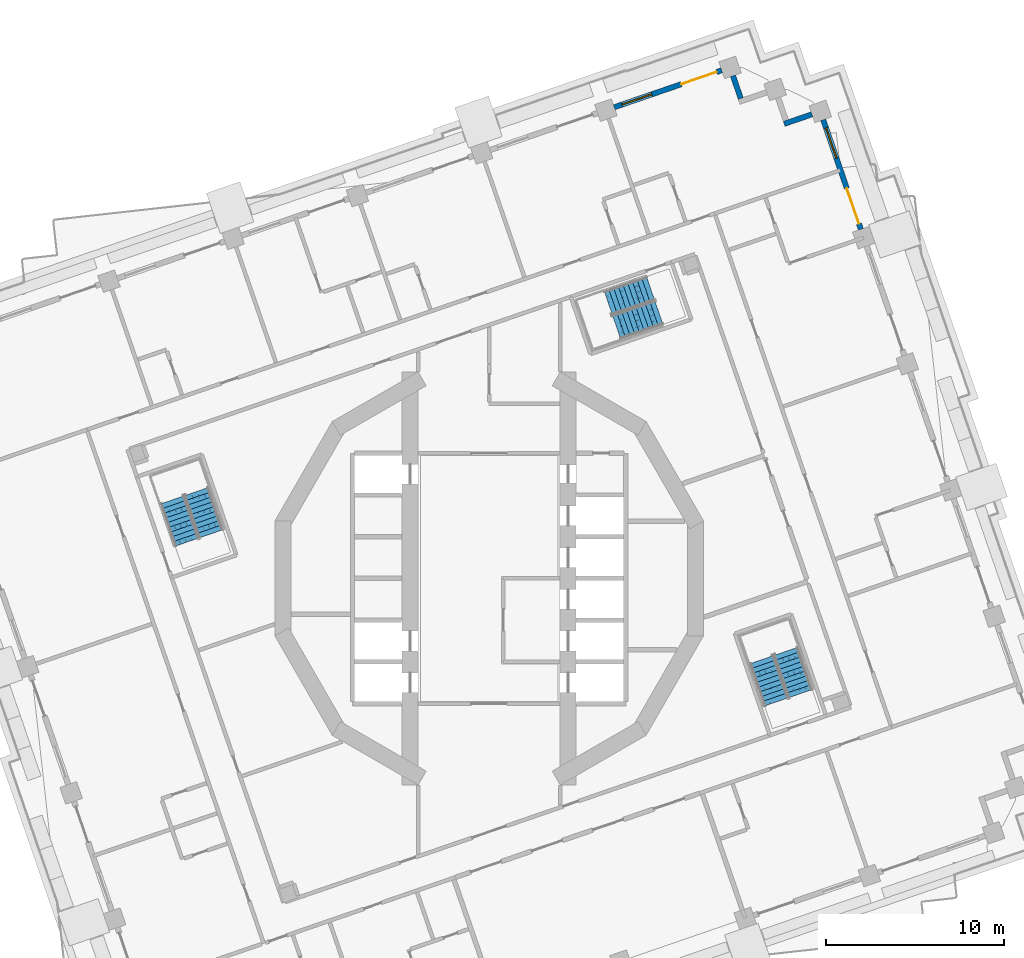
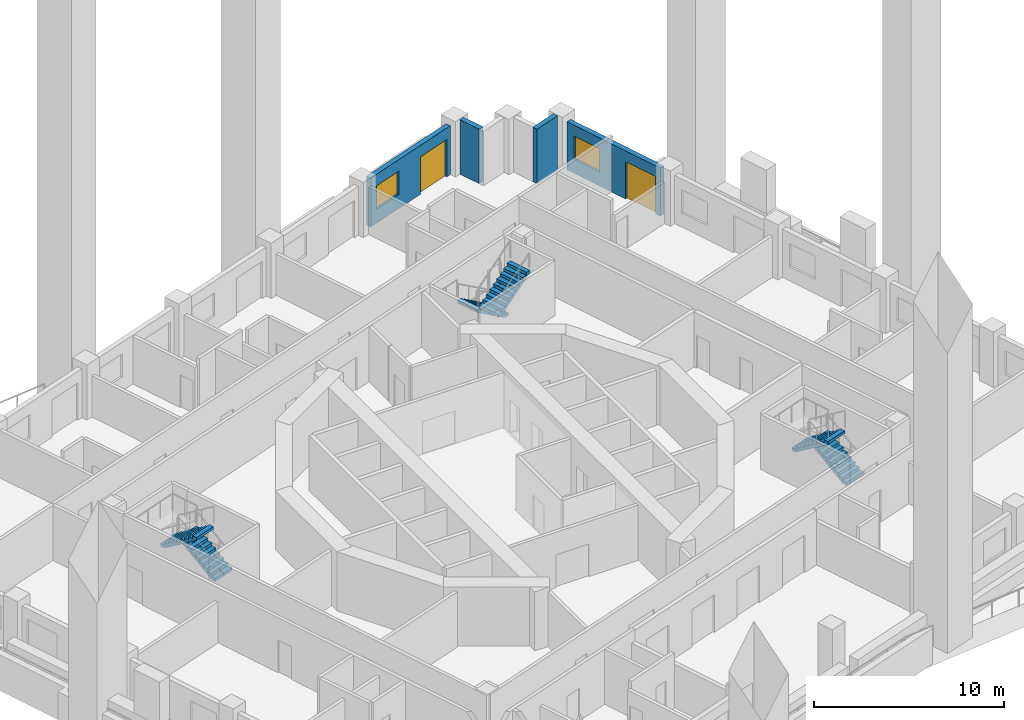
# One storey, part 9 of 18: 6 stair flights, 4 walls, 2 doors, 2 windows, 4 openings, 3 elements without a shape of their own.
"""IFC4 building model written with IfcOpenShell, lengths in metres."""

import ifcopenshell
import ifcopenshell.guid

model = None  # the IFC model being written
_history = None  # IfcOwnerHistory: only IFC2X3 demands one
_inside = {}  # id of a spatial element -> (the spatial element, [elements in it])
_under = {}  # id of a project, library or spatial element -> (it, [spatial elements below it])
_declared = {}  # id of a project -> (the project, [libraries it declares])
_typed = {}  # id of a type object -> (the type object, [elements of that type])
_made_of = {}  # id of a material, layer set ... -> (it, [elements and type objects made of it])


def new_model(schema):
    """Start an empty IFC model of exactly this schema.

    Asked for "IFC4X3", IfcOpenShell would pick the latest addendum, in which some entities
    have other attributes; the version numbers below select the first issue.
    IFC2X3 requires an IfcOwnerHistory on every rooted entity: one is made here for all.
    """
    global model, _history
    if schema == "IFC4X3":
        model = ifcopenshell.file(schema_version=(4, 3, 0, 0))
    else:
        model = ifcopenshell.file(schema=schema)
    _inside.clear()
    _under.clear()
    _declared.clear()
    _typed.clear()
    _made_of.clear()
    _history = None
    if model.schema == "IFC2X3":
        org = make("IfcOrganization", Name="unknown")
        user = make(
            "IfcPersonAndOrganization",
            ThePerson=make("IfcPerson", FamilyName="unknown"),
            TheOrganization=org,
        )
        app = make(
            "IfcApplication",
            ApplicationDeveloper=org,
            Version="unknown",
            ApplicationFullName="unknown",
            ApplicationIdentifier="unknown",
        )
        _history = make(
            "IfcOwnerHistory",
            OwningUser=user,
            OwningApplication=app,
            ChangeAction="ADDED",
            CreationDate=0,
        )
    return model


def make(cls, **values):
    """One entity of the class cls with the attributes given. An attribute that is None is left unset."""
    return model.create_entity(
        cls, **{name: value for name, value in values.items() if value is not None}
    )


def rooted(cls, **values):
    """An entity with a GlobalId (a new one), such as an element, a storey or a relation."""
    return make(cls, GlobalId=ifcopenshell.guid.new(), OwnerHistory=_history, **values)


def si_unit(unit_type, name, prefix=None):
    """IfcSIUnit, for example si_unit("LENGTHUNIT", "METRE", prefix="MILLI")."""
    return make("IfcSIUnit", UnitType=unit_type, Prefix=prefix, Name=name)


def assignment(units):
    """IfcUnitAssignment: the units of a project."""
    return None if units is None else make("IfcUnitAssignment", Units=units)


def point(xyz):
    """IfcCartesianPoint."""
    return None if xyz is None else make("IfcCartesianPoint", Coordinates=xyz)


def direction(xyz):
    """IfcDirection."""
    return None if xyz is None else make("IfcDirection", DirectionRatios=xyz)


def frame(location, z_axis=None, x_axis=None):
    """IfcAxis2Placement3D, a coordinate frame: its origin and axes. An axis left out is left unset."""
    return make(
        "IfcAxis2Placement3D",
        Location=point(location),
        Axis=direction(z_axis),
        RefDirection=direction(x_axis),
    )


def frame_2d(location, x_axis=None):
    """IfcAxis2Placement2D, a coordinate frame in the plane: its origin and x axis."""
    return make(
        "IfcAxis2Placement2D", Location=point(location), RefDirection=direction(x_axis)
    )


def origin():
    """The frame at (0, 0, 0) with its axes left unset."""
    return frame((0.0, 0.0, 0.0))


def place(relative_to, where):
    """IfcLocalPlacement: puts the frame where relative to a parent placement (None: the world)."""
    return make(
        "IfcLocalPlacement", PlacementRelTo=relative_to, RelativePlacement=where
    )


def context(
    kind, dimensions, precision=None, world=None, true_north=None, identifier=None
):
    """IfcGeometricRepresentationContext, for example the 3D "Model" context."""
    return make(
        "IfcGeometricRepresentationContext",
        ContextIdentifier=identifier,
        ContextType=kind,
        CoordinateSpaceDimension=dimensions,
        Precision=precision,
        WorldCoordinateSystem=world,
        TrueNorth=true_north,
    )


def subcontext(parent, identifier, kind, view, scale=None):
    """IfcGeometricRepresentationSubContext, for example "Body" below "Model"."""
    return make(
        "IfcGeometricRepresentationSubContext",
        ContextIdentifier=identifier,
        ContextType=kind,
        ParentContext=parent,
        TargetScale=scale,
        TargetView=view,
    )


def project(units=None, contexts=None):
    """IfcProject with its units and contexts."""
    return rooted(
        "IfcProject",
        Name="project",
        RepresentationContexts=contexts,
        UnitsInContext=assignment(units),
    )


def spatial(cls, under=None, at=None, **own):
    """A site, building, storey or space (cls), placed at a placement, below another one or the project."""
    s = rooted(cls, ObjectPlacement=at, **own)
    if under is not None:
        _under.setdefault(under.id(), (under, []))[1].append(s)
    return s


def polyline(points):
    """IfcPolyline through the points."""
    return make("IfcPolyline", Points=[point(p) for p in points])


def profile(cls, at=None, kind="AREA", **sizes):
    """A parametric profile (cls). Its sizes go by their IFC names, for example OverallWidth=200.0."""
    return make(cls, ProfileType=kind, Position=at, **sizes)


def rectangle(**sizes):
    """IfcRectangleProfileDef."""
    return profile("IfcRectangleProfileDef", **sizes)


def outline(outer, holes=None, kind="AREA"):
    """IfcArbitraryClosedProfileDef: a profile drawn as a closed curve; with holes, ...WithVoids."""
    if holes is None:
        return make("IfcArbitraryClosedProfileDef", ProfileType=kind, OuterCurve=outer)
    return make(
        "IfcArbitraryProfileDefWithVoids",
        ProfileType=kind,
        OuterCurve=outer,
        InnerCurves=holes,
    )


def extrude(swept, where, along, depth):
    """IfcExtrudedAreaSolid: the profile swept, set in the frame where, extruded along a direction by depth."""
    return make(
        "IfcExtrudedAreaSolid",
        SweptArea=swept,
        Position=where,
        ExtrudedDirection=direction(along),
        Depth=depth,
    )


def shape(context_of_items, identifier, shape_type, items):
    """IfcShapeRepresentation: the items that make up one representation, for example the "Body"."""
    return make(
        "IfcShapeRepresentation",
        ContextOfItems=context_of_items,
        RepresentationIdentifier=identifier,
        RepresentationType=shape_type,
        Items=items,
    )


def material(Name=None, Category=None):
    """IfcMaterial."""
    return make("IfcMaterial", Name=Name, Category=Category)


def layer(
    of_material, thickness, ventilated=None, Name=None, Category=None, Priority=None
):
    """IfcMaterialLayer: one layer of a wall or slab, of a material (None: an air gap)."""
    return make(
        "IfcMaterialLayer",
        Material=of_material,
        LayerThickness=thickness,
        IsVentilated=ventilated,
        Name=Name,
        Category=Category,
        Priority=Priority,
    )


def layer_set(layers, Name=None):
    """IfcMaterialLayerSet."""
    return make("IfcMaterialLayerSet", MaterialLayers=layers, LayerSetName=Name)


def made_of(thing, what):
    """Note that an element or type object is made of a material, layer set ...; save() writes the relation."""
    if what is not None:
        _made_of.setdefault(what.id(), (what, []))[1].append(thing)
    return thing


def type_object(cls, material=None, **own):
    """A type object (cls), such as IfcWallType, which elements share."""
    return made_of(rooted(cls, **own), material)


def element(
    cls,
    number,
    at=None,
    inside=None,
    cuts=None,
    type_object=None,
    material=None,
    context=None,
    identifier="Body",
    shape_type=None,
    held_by="IfcProductDefinitionShape",
    body=None,
    shapes=None,
    **own,
):
    """One element of the class cls, such as IfcWall. Its Tag is "e" and its number.

    at: its placement. inside: the storey or other place that contains it. cuts: it is an
    opening in that element (IfcRelVoidsElement). A single representation is given by context,
    identifier, shape_type and body (its items); several are given by shapes. held_by: the class
    of the entity that holds the representations. save() writes the other relations.
    """
    e = rooted(cls, Tag="e%d" % number, ObjectPlacement=at, **own)
    if body is not None:
        shapes = [shape(context, identifier, shape_type, body)]
    if shapes is not None:
        e.Representation = make(held_by, Representations=shapes)
    if inside is not None:
        _inside.setdefault(inside.id(), (inside, []))[1].append(e)
    if cuts is not None:
        rooted(
            "IfcRelVoidsElement", RelatingBuildingElement=cuts, RelatedOpeningElement=e
        )
    if type_object is not None:
        _typed.setdefault(type_object.id(), (type_object, []))[1].append(e)
    return made_of(e, material)


def fill(opening, filler):
    """IfcRelFillsElement: the door or window that sits in an opening."""
    return rooted(
        "IfcRelFillsElement",
        RelatingOpeningElement=opening,
        RelatedBuildingElement=filler,
    )


def aggregate(whole, parts):
    """IfcRelAggregates: a whole, such as a stair, and the parts it consists of."""
    return rooted("IfcRelAggregates", RelatingObject=whole, RelatedObjects=parts)


def save(model, path):
    """Write the relations noted so far, then the file.

    IfcRelAggregates (storeys below a building ...), IfcRelContainedInSpatialStructure (elements
    in a storey), IfcRelDefinesByType, IfcRelAssociatesMaterial and IfcRelDeclares: one each for
    every whole, place, type object, material and project.
    """
    for whole, parts in _under.values():
        aggregate(whole, parts)
    for where, things in _inside.values():
        rooted(
            "IfcRelContainedInSpatialStructure",
            RelatedElements=things,
            RelatingStructure=where,
        )
    for kind, things in _typed.values():
        rooted("IfcRelDefinesByType", RelatedObjects=things, RelatingType=kind)
    for what, things in _made_of.values():
        rooted("IfcRelAssociatesMaterial", RelatedObjects=things, RelatingMaterial=what)
    for by, libraries in _declared.values():
        rooted("IfcRelDeclares", RelatingContext=by, RelatedDefinitions=libraries)
    model.write(path)


model = new_model("IFC4")

# Units and contexts
model_context = context("Model", 3, precision=1e-05, world=origin(), true_north=direction((0.0, 1.0)))
body_context = subcontext(model_context, "Body", "Model", "MODEL_VIEW")
ifc_project = project(units=[si_unit("LENGTHUNIT", "METRE"), si_unit("AREAUNIT", "SQUARE_METRE"), si_unit("VOLUMEUNIT", "CUBIC_METRE"), si_unit("PLANEANGLEUNIT", "RADIAN"), si_unit("MASSUNIT", "GRAM", prefix="KILO")], contexts=[model_context])

# Site, building, storey
site_placement = place(None, origin())
site = spatial("IfcSite", under=ifc_project, at=site_placement, CompositionType="ELEMENT")
building_placement = place(site_placement, origin())
building = spatial("IfcBuilding", under=site, at=building_placement, Name="Cantera Rosa Tower", CompositionType="ELEMENT")
storey_placement = place(building_placement, frame((0.0, 0.0, 100.300048828125)))
storey = spatial("IfcBuildingStorey", under=building, at=storey_placement, Name="L19", CompositionType="ELEMENT", Elevation=100.300048828125)

# Walls
ifc_material_1 = material(Name="Hollow clay masonry with cantera stone cladding", Category="masonry")
ifc_layer_1 = layer(ifc_material_1, 0.300048828125)
ifc_layer_set_1 = layer_set([ifc_layer_1], Name="EW-LOGGIA 300")
wall_type_1 = type_object("IfcWallType", Name="EW-LOGGIA 300", PredefinedType="SOLIDWALL", material=ifc_layer_set_1)
wall_1_placement = place(storey_placement, frame((18.17919921875, 26.142822265625, 0.0), z_axis=(0.0, 0.0, 1.0), x_axis=(-0.945530119553, -0.32553462645, 0.0)))
element("IfcWall", 1, at=wall_1_placement, inside=storey, type_object=wall_type_1, Name="EN-L19-W06a", PredefinedType="SOLIDWALL", context=body_context, shape_type="SweptSolid", body=[
    extrude(rectangle(XDim=1.64990234375, YDim=0.300048828125, at=frame_2d((0.824951171875, 0.0))), origin(), (0.0, 0.0, 1.0), 3.5),
])
wall_2_placement = place(storey_placement, frame((14.169921875, 27.0361328125, 0.0), z_axis=(0.0, 0.0, 1.0), x_axis=(-0.325650742363, 0.945490134268, 0.0)))
element("IfcWall", 2, at=wall_2_placement, inside=storey, type_object=wall_type_1, Name="EN-L19-W07b", PredefinedType="SOLIDWALL", context=body_context, shape_type="SweptSolid", body=[
    extrude(rectangle(XDim=1.35009765625, YDim=0.300048828125, at=frame_2d((0.675048828125, 0.0))), origin(), (0.0, 0.0, 1.0), 3.5),
])

# Wall, openings, window, door
ifc_material_2 = material(Name="Hollow clay masonry with cantera stone cladding", Category="masonry")
ifc_layer_2 = layer(ifc_material_2, 0.300048828125)
ifc_layer_set_2 = layer_set([ifc_layer_2], Name="EW-LOGGIA 300 H3090")
wall_type_2 = type_object("IfcWallType", Name="EW-LOGGIA 300 H3090", PredefinedType="SOLIDWALL", material=ifc_layer_set_2)
wall_3_placement = place(storey_placement, frame((20.9375, 19.668212890625, 0.0), z_axis=(0.0, 0.0, 1.0), x_axis=(-0.325592517631, 0.945510186335, 0.0)))
wall_3 = element("IfcWall", 3, at=wall_3_placement, inside=storey, type_object=wall_type_2, Name="EN-L19-W05", PredefinedType="SOLIDWALL", context=body_context, shape_type="SweptSolid", body=[
    extrude(rectangle(XDim=6.519775390625, YDim=0.300048828125, at=frame_2d((3.259765625, 0.0))), origin(), (0.0, 0.0, 1.0), 3.08984375),
])
opening_1_placement = place(wall_3_placement, frame((0.330078125, 0.0, 0.0)))
opening_1 = element("IfcOpeningElement", 4, at=opening_1_placement, cuts=wall_3, Name="Opening L19-TD09", PredefinedType="OPENING", context=body_context, shape_type="SweptSolid", body=[
    extrude(rectangle(XDim=2.10009765625, YDim=2.39990234375, at=frame_2d((1.050048828125, 1.199951171875))), frame((0.0, 0.159912109375, 0.0), z_axis=(0.0, -1.0, 0.0), x_axis=(1.0, 0.0, 0.0)), (0.0, 0.0, 1.0), 0.320068359375),
])
opening_2_placement = place(wall_3_placement, frame((4.239990234375, 0.0, 0.89990234375)))
opening_2 = element("IfcOpeningElement", 5, at=opening_2_placement, cuts=wall_3, Name="Opening L19-W10", PredefinedType="OPENING", context=body_context, shape_type="SweptSolid", body=[
    extrude(rectangle(XDim=1.800048828125, YDim=1.5, at=frame_2d((0.89990234375, 0.75))), frame((0.0, 0.159912109375, 0.0), z_axis=(0.0, -1.0, 0.0), x_axis=(1.0, 0.0, 0.0)), (0.0, 0.0, 1.0), 0.320068359375),
])
ifc_material_3 = material(Name="Aluminium frame with clear glass", Category="aluminium")
window_type = type_object("IfcWindowType", Name="Hotel room window 1800x1500", PartitioningType="DOUBLE_PANEL_VERTICAL", PredefinedType="WINDOW", material=ifc_material_3)
window_1_placement = place(opening_2_placement, origin())
window_1 = element("IfcWindow", 6, at=window_1_placement, inside=storey, type_object=window_type, Name="WINDOW L19-W10", OverallHeight=1.5, OverallWidth=1.800048828125, PartitioningType="SINGLE_PANEL", PredefinedType="WINDOW", context=body_context, shape_type="SweptSolid", body=[
    extrude(rectangle(XDim=1.800048828125, YDim=1.5, at=frame_2d((0.89990234375, 0.75))), frame((0.0, 0.030029296875, 0.0), z_axis=(0.0, -1.0, 0.0), x_axis=(1.0, 0.0, 0.0)), (0.0, 0.0, 1.0), 0.06005859375),
])
fill(opening_2, window_1)
ifc_material_4 = material(Name="Aluminium frame with clear glass", Category="aluminium")
door_type = type_object("IfcDoorType", Name="TD-H 2100x2400", OperationType="NOTDEFINED", PredefinedType="DOOR", material=ifc_material_4)
door_1_placement = place(opening_1_placement, origin())
door_1 = element("IfcDoor", 7, at=door_1_placement, inside=storey, type_object=door_type, Name="LOGGIA DOOR L19-TD09", OperationType="SLIDING_TO_LEFT", OverallHeight=2.39990234375, OverallWidth=2.10009765625, PredefinedType="DOOR", context=body_context, shape_type="SweptSolid", body=[
    extrude(rectangle(XDim=2.10009765625, YDim=2.39990234375, at=frame_2d((1.050048828125, 1.199951171875))), frame((0.0, 0.02490234375, 0.0), z_axis=(0.0, -1.0, 0.0), x_axis=(1.0, 0.0, 0.0)), (0.0, 0.0, 1.0), 0.050048828125),
])
fill(opening_1, door_1)

ifc_material_5 = material(Name="Hollow clay masonry with cantera stone cladding", Category="masonry")
ifc_layer_3 = layer(ifc_material_5, 0.300048828125)
ifc_layer_set_3 = layer_set([ifc_layer_3], Name="EW-LOGGIA 300 H3140")
wall_type_3 = type_object("IfcWallType", Name="EW-LOGGIA 300 H3140", PredefinedType="SOLIDWALL", material=ifc_layer_set_3)
wall_4_placement = place(storey_placement, frame((13.0947265625, 28.62255859375, 0.0), z_axis=(0.0, 0.0, 1.0), x_axis=(-0.945524496524, -0.325550958337, 0.0)))
wall_4 = element("IfcWall", 8, at=wall_4_placement, inside=storey, type_object=wall_type_3, Name="EN-L19-W08", PredefinedType="SOLIDWALL", context=body_context, shape_type="SweptSolid", body=[
    extrude(rectangle(XDim=6.39990234375, YDim=0.300048828125, at=frame_2d((3.199951171875, 0.0))), origin(), (0.0, 0.0, 1.0), 3.139892578125),
])
opening_3_placement = place(wall_4_placement, frame((0.300048828125, 0.0, 0.0)))
opening_3 = element("IfcOpeningElement", 9, at=opening_3_placement, cuts=wall_4, Name="Opening L19-TD11", PredefinedType="OPENING", context=body_context, shape_type="SweptSolid", body=[
    extrude(rectangle(XDim=2.10009765625, YDim=2.39990234375, at=frame_2d((1.050048828125, 1.199951171875))), frame((0.0, 0.159912109375, 0.0), z_axis=(0.0, -1.0, 0.0), x_axis=(1.0, 0.0, 0.0)), (0.0, 0.0, 1.0), 0.320068359375),
])
opening_4_placement = place(wall_4_placement, frame((4.14990234375, 0.0, 0.89990234375)))
opening_4 = element("IfcOpeningElement", 10, at=opening_4_placement, cuts=wall_4, Name="Opening L19-W12", PredefinedType="OPENING", context=body_context, shape_type="SweptSolid", body=[
    extrude(rectangle(XDim=1.800048828125, YDim=1.5, at=frame_2d((0.89990234375, 0.75))), frame((0.0, 0.159912109375, 0.0), z_axis=(0.0, -1.0, 0.0), x_axis=(1.0, 0.0, 0.0)), (0.0, 0.0, 1.0), 0.320068359375),
])
window_2_placement = place(opening_4_placement, origin())
window_2 = element("IfcWindow", 11, at=window_2_placement, inside=storey, type_object=window_type, Name="WINDOW L19-W12", OverallHeight=1.5, OverallWidth=1.800048828125, PartitioningType="SINGLE_PANEL", PredefinedType="WINDOW", context=body_context, shape_type="SweptSolid", body=[
    extrude(rectangle(XDim=1.800048828125, YDim=1.5, at=frame_2d((0.89990234375, 0.75))), frame((0.0, 0.030029296875, 0.0), z_axis=(0.0, -1.0, 0.0), x_axis=(1.0, 0.0, 0.0)), (0.0, 0.0, 1.0), 0.06005859375),
])
fill(opening_4, window_2)
door_2_placement = place(opening_3_placement, origin())
door_2 = element("IfcDoor", 12, at=door_2_placement, inside=storey, type_object=door_type, Name="LOGGIA DOOR L19-TD11", OperationType="SLIDING_TO_LEFT", OverallHeight=2.39990234375, OverallWidth=2.10009765625, PredefinedType="DOOR", context=body_context, shape_type="SweptSolid", body=[
    extrude(rectangle(XDim=2.10009765625, YDim=2.39990234375, at=frame_2d((1.050048828125, 1.199951171875))), frame((0.0, 0.02490234375, 0.0), z_axis=(0.0, -1.0, 0.0), x_axis=(1.0, 0.0, 0.0)), (0.0, 0.0, 1.0), 0.050048828125),
])
fill(opening_3, door_2)

# Stair, stair flights
ifc_material_6 = material(Name="Concrete C35/45", Category="concrete")
stair_type = type_object("IfcStairType", Name="EXIT STAIR 1350 DOGLEG", PredefinedType="HALF_TURN_STAIR", material=ifc_material_6)
stair_1_placement = place(storey_placement, origin())
stair_1 = element("IfcStair", 13, at=stair_1_placement, inside=storey, type_object=stair_type, Name="L19 ST-21", PredefinedType="HALF_TURN_STAIR")
ifc_material_7 = material(Name="Concrete C35/45", Category="concrete")
stair_flight_type = type_object("IfcStairFlightType", Name="STAIR FLIGHT 1350 R20x190", PredefinedType="STRAIGHT", material=ifc_material_7)
stair_flight_1_placement = place(storey_placement, frame((9.07958984375, 16.364990234375, 0.0), z_axis=(0.0, 0.0, 1.0), x_axis=(-0.945518575599, -0.325568154457, 0.0)))
stair_flight_1 = element("IfcStairFlight", 14, at=stair_flight_1_placement, type_object=stair_flight_type, Name="ST-21 flight 1", NumberOfRisers=10, NumberOfTreads=9, PredefinedType="STRAIGHT", RiserHeight=0.19, TreadLength=0.28, context=body_context, shape_type="SweptSolid", body=[
    extrude(outline(polyline([(0.0, 0.0), (0.0, 0.18994140625), (0.280029296875, 0.18994140625), (0.280029296875, 0.3798828125), (0.56005859375, 0.3798828125), (0.56005859375, 0.570068359375), (0.840087890625, 0.570068359375), (0.840087890625, 0.760009765625), (1.1201171875, 0.760009765625), (1.1201171875, 0.949951171875), (1.39990234375, 0.949951171875), (1.39990234375, 1.139892578125), (1.679931640625, 1.139892578125), (1.679931640625, 1.330078125), (1.9599609375, 1.330078125), (1.9599609375, 1.52001953125), (2.239990234375, 1.52001953125), (2.239990234375, 1.7099609375), (2.52001953125, 1.7099609375), (2.52001953125, 1.89990234375), (2.52001953125, 1.52880859375), (0.266845703125, 0.0), (0.0, 0.0)])), frame((0.0, 0.675048828125, 0.0), z_axis=(0.0, -1.0, 0.0), x_axis=(1.0, 0.0, 0.0)), (0.0, 0.0, 1.0), 0.3359375),
    extrude(outline(polyline([(0.0, 0.0), (0.0, 0.18994140625), (0.280029296875, 0.18994140625), (0.280029296875, 0.3798828125), (0.56005859375, 0.3798828125), (0.56005859375, 0.570068359375), (0.840087890625, 0.570068359375), (0.840087890625, 0.760009765625), (1.1201171875, 0.760009765625), (1.1201171875, 0.949951171875), (1.39990234375, 0.949951171875), (1.39990234375, 1.139892578125), (1.679931640625, 1.139892578125), (1.679931640625, 1.330078125), (1.9599609375, 1.330078125), (1.9599609375, 1.52001953125), (2.239990234375, 1.52001953125), (2.239990234375, 1.7099609375), (2.52001953125, 1.7099609375), (2.52001953125, 1.89990234375), (2.52001953125, 1.52880859375), (0.266845703125, 0.0), (0.0, 0.0)])), frame((0.0, 0.337158203125, 0.0), z_axis=(0.0, -1.0, 0.0), x_axis=(1.0, 0.0, 0.0)), (0.0, 0.0, 1.0), 0.3359375),
    extrude(outline(polyline([(0.0, 0.0), (0.0, 0.18994140625), (0.280029296875, 0.18994140625), (0.280029296875, 0.3798828125), (0.56005859375, 0.3798828125), (0.56005859375, 0.570068359375), (0.840087890625, 0.570068359375), (0.840087890625, 0.760009765625), (1.1201171875, 0.760009765625), (1.1201171875, 0.949951171875), (1.39990234375, 0.949951171875), (1.39990234375, 1.139892578125), (1.679931640625, 1.139892578125), (1.679931640625, 1.330078125), (1.9599609375, 1.330078125), (1.9599609375, 1.52001953125), (2.239990234375, 1.52001953125), (2.239990234375, 1.7099609375), (2.52001953125, 1.7099609375), (2.52001953125, 1.89990234375), (2.52001953125, 1.52880859375), (0.266845703125, 0.0), (0.0, 0.0)])), frame((0.0, -0.000732421875, 0.0), z_axis=(0.0, -1.0, 0.0), x_axis=(1.0, 0.0, 0.0)), (0.0, 0.0, 1.0), 0.3359375),
    extrude(outline(polyline([(0.0, 0.0), (0.0, 0.18994140625), (0.280029296875, 0.18994140625), (0.280029296875, 0.3798828125), (0.56005859375, 0.3798828125), (0.56005859375, 0.570068359375), (0.840087890625, 0.570068359375), (0.840087890625, 0.760009765625), (1.1201171875, 0.760009765625), (1.1201171875, 0.949951171875), (1.39990234375, 0.949951171875), (1.39990234375, 1.139892578125), (1.679931640625, 1.139892578125), (1.679931640625, 1.330078125), (1.9599609375, 1.330078125), (1.9599609375, 1.52001953125), (2.239990234375, 1.52001953125), (2.239990234375, 1.7099609375), (2.52001953125, 1.7099609375), (2.52001953125, 1.89990234375), (2.52001953125, 1.52880859375), (0.266845703125, 0.0), (0.0, 0.0)])), frame((0.0, -0.338623046875, 0.0), z_axis=(0.0, -1.0, 0.0), x_axis=(1.0, 0.0, 0.0)), (0.0, 0.0, 1.0), 0.3359375),
])
stair_flight_2_placement = place(storey_placement, frame((7.185302734375, 14.126220703125, 1.89990234375), z_axis=(0.0, 0.0, 1.0), x_axis=(0.945518575599, 0.325568154457, 0.0)))
stair_flight_2 = element("IfcStairFlight", 15, at=stair_flight_2_placement, type_object=stair_flight_type, Name="ST-21 flight 2", NumberOfRisers=10, NumberOfTreads=9, PredefinedType="STRAIGHT", RiserHeight=0.19, TreadLength=0.28, context=body_context, shape_type="SweptSolid", body=[
    extrude(outline(polyline([(0.0, 0.0), (0.0, 0.18994140625), (0.280029296875, 0.18994140625), (0.280029296875, 0.3798828125), (0.56005859375, 0.3798828125), (0.56005859375, 0.570068359375), (0.840087890625, 0.570068359375), (0.840087890625, 0.760009765625), (1.1201171875, 0.760009765625), (1.1201171875, 0.949951171875), (1.39990234375, 0.949951171875), (1.39990234375, 1.139892578125), (1.679931640625, 1.139892578125), (1.679931640625, 1.330078125), (1.9599609375, 1.330078125), (1.9599609375, 1.52001953125), (2.239990234375, 1.52001953125), (2.239990234375, 1.7099609375), (2.52001953125, 1.7099609375), (2.52001953125, 1.89990234375), (2.52001953125, 1.52880859375), (0.266845703125, 0.0), (0.0, 0.0)])), frame((0.0, 0.675048828125, 0.0), z_axis=(0.0, -1.0, 0.0), x_axis=(1.0, 0.0, 0.0)), (0.0, 0.0, 1.0), 0.3359375),
    extrude(outline(polyline([(0.0, 0.0), (0.0, 0.18994140625), (0.280029296875, 0.18994140625), (0.280029296875, 0.3798828125), (0.56005859375, 0.3798828125), (0.56005859375, 0.570068359375), (0.840087890625, 0.570068359375), (0.840087890625, 0.760009765625), (1.1201171875, 0.760009765625), (1.1201171875, 0.949951171875), (1.39990234375, 0.949951171875), (1.39990234375, 1.139892578125), (1.679931640625, 1.139892578125), (1.679931640625, 1.330078125), (1.9599609375, 1.330078125), (1.9599609375, 1.52001953125), (2.239990234375, 1.52001953125), (2.239990234375, 1.7099609375), (2.52001953125, 1.7099609375), (2.52001953125, 1.89990234375), (2.52001953125, 1.52880859375), (0.266845703125, 0.0), (0.0, 0.0)])), frame((0.0, 0.337158203125, 0.0), z_axis=(0.0, -1.0, 0.0), x_axis=(1.0, 0.0, 0.0)), (0.0, 0.0, 1.0), 0.3359375),
    extrude(outline(polyline([(0.0, 0.0), (0.0, 0.18994140625), (0.280029296875, 0.18994140625), (0.280029296875, 0.3798828125), (0.56005859375, 0.3798828125), (0.56005859375, 0.570068359375), (0.840087890625, 0.570068359375), (0.840087890625, 0.760009765625), (1.1201171875, 0.760009765625), (1.1201171875, 0.949951171875), (1.39990234375, 0.949951171875), (1.39990234375, 1.139892578125), (1.679931640625, 1.139892578125), (1.679931640625, 1.330078125), (1.9599609375, 1.330078125), (1.9599609375, 1.52001953125), (2.239990234375, 1.52001953125), (2.239990234375, 1.7099609375), (2.52001953125, 1.7099609375), (2.52001953125, 1.89990234375), (2.52001953125, 1.52880859375), (0.266845703125, 0.0), (0.0, 0.0)])), frame((0.0, -0.000732421875, 0.0), z_axis=(0.0, -1.0, 0.0), x_axis=(1.0, 0.0, 0.0)), (0.0, 0.0, 1.0), 0.3359375),
    extrude(outline(polyline([(0.0, 0.0), (0.0, 0.18994140625), (0.280029296875, 0.18994140625), (0.280029296875, 0.3798828125), (0.56005859375, 0.3798828125), (0.56005859375, 0.570068359375), (0.840087890625, 0.570068359375), (0.840087890625, 0.760009765625), (1.1201171875, 0.760009765625), (1.1201171875, 0.949951171875), (1.39990234375, 0.949951171875), (1.39990234375, 1.139892578125), (1.679931640625, 1.139892578125), (1.679931640625, 1.330078125), (1.9599609375, 1.330078125), (1.9599609375, 1.52001953125), (2.239990234375, 1.52001953125), (2.239990234375, 1.7099609375), (2.52001953125, 1.7099609375), (2.52001953125, 1.89990234375), (2.52001953125, 1.52880859375), (0.266845703125, 0.0), (0.0, 0.0)])), frame((0.0, -0.338623046875, 0.0), z_axis=(0.0, -1.0, 0.0), x_axis=(1.0, 0.0, 0.0)), (0.0, 0.0, 1.0), 0.3359375),
])
aggregate(stair_1, [stair_flight_1, stair_flight_2])

stair_2_placement = place(storey_placement, origin())
stair_2 = element("IfcStair", 16, at=stair_2_placement, inside=storey, type_object=stair_type, Name="L19 ST-22", PredefinedType="HALF_TURN_STAIR")
stair_flight_3_placement = place(storey_placement, frame((-15.635009765625, 2.5205078125, 0.0), z_axis=(0.0, 0.0, 1.0), x_axis=(-0.325568154457, 0.945518575599, 0.0)))
stair_flight_3 = element("IfcStairFlight", 17, at=stair_flight_3_placement, type_object=stair_flight_type, Name="ST-22 flight 1", NumberOfRisers=10, NumberOfTreads=9, PredefinedType="STRAIGHT", RiserHeight=0.19, TreadLength=0.28, context=body_context, shape_type="SweptSolid", body=[
    extrude(outline(polyline([(0.0, 0.0), (0.0, 0.18994140625), (0.280029296875, 0.18994140625), (0.280029296875, 0.3798828125), (0.56005859375, 0.3798828125), (0.56005859375, 0.570068359375), (0.840087890625, 0.570068359375), (0.840087890625, 0.760009765625), (1.1201171875, 0.760009765625), (1.1201171875, 0.949951171875), (1.39990234375, 0.949951171875), (1.39990234375, 1.139892578125), (1.679931640625, 1.139892578125), (1.679931640625, 1.330078125), (1.9599609375, 1.330078125), (1.9599609375, 1.52001953125), (2.239990234375, 1.52001953125), (2.239990234375, 1.7099609375), (2.52001953125, 1.7099609375), (2.52001953125, 1.89990234375), (2.52001953125, 1.52880859375), (0.266845703125, 0.0), (0.0, 0.0)])), frame((0.0, 0.675048828125, 0.0), z_axis=(0.0, -1.0, 0.0), x_axis=(1.0, 0.0, 0.0)), (0.0, 0.0, 1.0), 0.3359375),
    extrude(outline(polyline([(0.0, 0.0), (0.0, 0.18994140625), (0.280029296875, 0.18994140625), (0.280029296875, 0.3798828125), (0.56005859375, 0.3798828125), (0.56005859375, 0.570068359375), (0.840087890625, 0.570068359375), (0.840087890625, 0.760009765625), (1.1201171875, 0.760009765625), (1.1201171875, 0.949951171875), (1.39990234375, 0.949951171875), (1.39990234375, 1.139892578125), (1.679931640625, 1.139892578125), (1.679931640625, 1.330078125), (1.9599609375, 1.330078125), (1.9599609375, 1.52001953125), (2.239990234375, 1.52001953125), (2.239990234375, 1.7099609375), (2.52001953125, 1.7099609375), (2.52001953125, 1.89990234375), (2.52001953125, 1.52880859375), (0.266845703125, 0.0), (0.0, 0.0)])), frame((0.0, 0.337158203125, 0.0), z_axis=(0.0, -1.0, 0.0), x_axis=(1.0, 0.0, 0.0)), (0.0, 0.0, 1.0), 0.3359375),
    extrude(outline(polyline([(0.0, 0.0), (0.0, 0.18994140625), (0.280029296875, 0.18994140625), (0.280029296875, 0.3798828125), (0.56005859375, 0.3798828125), (0.56005859375, 0.570068359375), (0.840087890625, 0.570068359375), (0.840087890625, 0.760009765625), (1.1201171875, 0.760009765625), (1.1201171875, 0.949951171875), (1.39990234375, 0.949951171875), (1.39990234375, 1.139892578125), (1.679931640625, 1.139892578125), (1.679931640625, 1.330078125), (1.9599609375, 1.330078125), (1.9599609375, 1.52001953125), (2.239990234375, 1.52001953125), (2.239990234375, 1.7099609375), (2.52001953125, 1.7099609375), (2.52001953125, 1.89990234375), (2.52001953125, 1.52880859375), (0.266845703125, 0.0), (0.0, 0.0)])), frame((0.0, -0.000732421875, 0.0), z_axis=(0.0, -1.0, 0.0), x_axis=(1.0, 0.0, 0.0)), (0.0, 0.0, 1.0), 0.3359375),
    extrude(outline(polyline([(0.0, 0.0), (0.0, 0.18994140625), (0.280029296875, 0.18994140625), (0.280029296875, 0.3798828125), (0.56005859375, 0.3798828125), (0.56005859375, 0.570068359375), (0.840087890625, 0.570068359375), (0.840087890625, 0.760009765625), (1.1201171875, 0.760009765625), (1.1201171875, 0.949951171875), (1.39990234375, 0.949951171875), (1.39990234375, 1.139892578125), (1.679931640625, 1.139892578125), (1.679931640625, 1.330078125), (1.9599609375, 1.330078125), (1.9599609375, 1.52001953125), (2.239990234375, 1.52001953125), (2.239990234375, 1.7099609375), (2.52001953125, 1.7099609375), (2.52001953125, 1.89990234375), (2.52001953125, 1.52880859375), (0.266845703125, 0.0), (0.0, 0.0)])), frame((0.0, -0.338623046875, 0.0), z_axis=(0.0, -1.0, 0.0), x_axis=(1.0, 0.0, 0.0)), (0.0, 0.0, 1.0), 0.3359375),
])
stair_flight_4_placement = place(storey_placement, frame((-17.873779296875, 4.414794921875, 1.89990234375), z_axis=(0.0, 0.0, 1.0), x_axis=(0.325568154457, -0.945518575599, 0.0)))
stair_flight_4 = element("IfcStairFlight", 18, at=stair_flight_4_placement, type_object=stair_flight_type, Name="ST-22 flight 2", NumberOfRisers=10, NumberOfTreads=9, PredefinedType="STRAIGHT", RiserHeight=0.19, TreadLength=0.28, context=body_context, shape_type="SweptSolid", body=[
    extrude(outline(polyline([(0.0, 0.0), (0.0, 0.18994140625), (0.280029296875, 0.18994140625), (0.280029296875, 0.3798828125), (0.56005859375, 0.3798828125), (0.56005859375, 0.570068359375), (0.840087890625, 0.570068359375), (0.840087890625, 0.760009765625), (1.1201171875, 0.760009765625), (1.1201171875, 0.949951171875), (1.39990234375, 0.949951171875), (1.39990234375, 1.139892578125), (1.679931640625, 1.139892578125), (1.679931640625, 1.330078125), (1.9599609375, 1.330078125), (1.9599609375, 1.52001953125), (2.239990234375, 1.52001953125), (2.239990234375, 1.7099609375), (2.52001953125, 1.7099609375), (2.52001953125, 1.89990234375), (2.52001953125, 1.52880859375), (0.266845703125, 0.0), (0.0, 0.0)])), frame((0.0, 0.675048828125, 0.0), z_axis=(0.0, -1.0, 0.0), x_axis=(1.0, 0.0, 0.0)), (0.0, 0.0, 1.0), 0.3359375),
    extrude(outline(polyline([(0.0, 0.0), (0.0, 0.18994140625), (0.280029296875, 0.18994140625), (0.280029296875, 0.3798828125), (0.56005859375, 0.3798828125), (0.56005859375, 0.570068359375), (0.840087890625, 0.570068359375), (0.840087890625, 0.760009765625), (1.1201171875, 0.760009765625), (1.1201171875, 0.949951171875), (1.39990234375, 0.949951171875), (1.39990234375, 1.139892578125), (1.679931640625, 1.139892578125), (1.679931640625, 1.330078125), (1.9599609375, 1.330078125), (1.9599609375, 1.52001953125), (2.239990234375, 1.52001953125), (2.239990234375, 1.7099609375), (2.52001953125, 1.7099609375), (2.52001953125, 1.89990234375), (2.52001953125, 1.52880859375), (0.266845703125, 0.0), (0.0, 0.0)])), frame((0.0, 0.337158203125, 0.0), z_axis=(0.0, -1.0, 0.0), x_axis=(1.0, 0.0, 0.0)), (0.0, 0.0, 1.0), 0.3359375),
    extrude(outline(polyline([(0.0, 0.0), (0.0, 0.18994140625), (0.280029296875, 0.18994140625), (0.280029296875, 0.3798828125), (0.56005859375, 0.3798828125), (0.56005859375, 0.570068359375), (0.840087890625, 0.570068359375), (0.840087890625, 0.760009765625), (1.1201171875, 0.760009765625), (1.1201171875, 0.949951171875), (1.39990234375, 0.949951171875), (1.39990234375, 1.139892578125), (1.679931640625, 1.139892578125), (1.679931640625, 1.330078125), (1.9599609375, 1.330078125), (1.9599609375, 1.52001953125), (2.239990234375, 1.52001953125), (2.239990234375, 1.7099609375), (2.52001953125, 1.7099609375), (2.52001953125, 1.89990234375), (2.52001953125, 1.52880859375), (0.266845703125, 0.0), (0.0, 0.0)])), frame((0.0, -0.000732421875, 0.0), z_axis=(0.0, -1.0, 0.0), x_axis=(1.0, 0.0, 0.0)), (0.0, 0.0, 1.0), 0.3359375),
    extrude(outline(polyline([(0.0, 0.0), (0.0, 0.18994140625), (0.280029296875, 0.18994140625), (0.280029296875, 0.3798828125), (0.56005859375, 0.3798828125), (0.56005859375, 0.570068359375), (0.840087890625, 0.570068359375), (0.840087890625, 0.760009765625), (1.1201171875, 0.760009765625), (1.1201171875, 0.949951171875), (1.39990234375, 0.949951171875), (1.39990234375, 1.139892578125), (1.679931640625, 1.139892578125), (1.679931640625, 1.330078125), (1.9599609375, 1.330078125), (1.9599609375, 1.52001953125), (2.239990234375, 1.52001953125), (2.239990234375, 1.7099609375), (2.52001953125, 1.7099609375), (2.52001953125, 1.89990234375), (2.52001953125, 1.52880859375), (0.266845703125, 0.0), (0.0, 0.0)])), frame((0.0, -0.338623046875, 0.0), z_axis=(0.0, -1.0, 0.0), x_axis=(1.0, 0.0, 0.0)), (0.0, 0.0, 1.0), 0.3359375),
])
aggregate(stair_2, [stair_flight_3, stair_flight_4])

stair_3_placement = place(storey_placement, origin())
stair_3 = element("IfcStair", 19, at=stair_3_placement, inside=storey, type_object=stair_type, Name="L19 ST-23", PredefinedType="HALF_TURN_STAIR")
stair_flight_5_placement = place(storey_placement, frame((17.56494140625, -6.4794921875, 0.0), z_axis=(0.0, 0.0, 1.0), x_axis=(-0.325568154457, 0.945518575599, 0.0)))
stair_flight_5 = element("IfcStairFlight", 20, at=stair_flight_5_placement, type_object=stair_flight_type, Name="ST-23 flight 1", NumberOfRisers=10, NumberOfTreads=9, PredefinedType="STRAIGHT", RiserHeight=0.19, TreadLength=0.28, context=body_context, shape_type="SweptSolid", body=[
    extrude(outline(polyline([(0.0, 0.0), (0.0, 0.18994140625), (0.280029296875, 0.18994140625), (0.280029296875, 0.3798828125), (0.56005859375, 0.3798828125), (0.56005859375, 0.570068359375), (0.840087890625, 0.570068359375), (0.840087890625, 0.760009765625), (1.1201171875, 0.760009765625), (1.1201171875, 0.949951171875), (1.39990234375, 0.949951171875), (1.39990234375, 1.139892578125), (1.679931640625, 1.139892578125), (1.679931640625, 1.330078125), (1.9599609375, 1.330078125), (1.9599609375, 1.52001953125), (2.239990234375, 1.52001953125), (2.239990234375, 1.7099609375), (2.52001953125, 1.7099609375), (2.52001953125, 1.89990234375), (2.52001953125, 1.52880859375), (0.266845703125, 0.0), (0.0, 0.0)])), frame((0.0, 0.675048828125, 0.0), z_axis=(0.0, -1.0, 0.0), x_axis=(1.0, 0.0, 0.0)), (0.0, 0.0, 1.0), 0.3359375),
    extrude(outline(polyline([(0.0, 0.0), (0.0, 0.18994140625), (0.280029296875, 0.18994140625), (0.280029296875, 0.3798828125), (0.56005859375, 0.3798828125), (0.56005859375, 0.570068359375), (0.840087890625, 0.570068359375), (0.840087890625, 0.760009765625), (1.1201171875, 0.760009765625), (1.1201171875, 0.949951171875), (1.39990234375, 0.949951171875), (1.39990234375, 1.139892578125), (1.679931640625, 1.139892578125), (1.679931640625, 1.330078125), (1.9599609375, 1.330078125), (1.9599609375, 1.52001953125), (2.239990234375, 1.52001953125), (2.239990234375, 1.7099609375), (2.52001953125, 1.7099609375), (2.52001953125, 1.89990234375), (2.52001953125, 1.52880859375), (0.266845703125, 0.0), (0.0, 0.0)])), frame((0.0, 0.337158203125, 0.0), z_axis=(0.0, -1.0, 0.0), x_axis=(1.0, 0.0, 0.0)), (0.0, 0.0, 1.0), 0.3359375),
    extrude(outline(polyline([(0.0, 0.0), (0.0, 0.18994140625), (0.280029296875, 0.18994140625), (0.280029296875, 0.3798828125), (0.56005859375, 0.3798828125), (0.56005859375, 0.570068359375), (0.840087890625, 0.570068359375), (0.840087890625, 0.760009765625), (1.1201171875, 0.760009765625), (1.1201171875, 0.949951171875), (1.39990234375, 0.949951171875), (1.39990234375, 1.139892578125), (1.679931640625, 1.139892578125), (1.679931640625, 1.330078125), (1.9599609375, 1.330078125), (1.9599609375, 1.52001953125), (2.239990234375, 1.52001953125), (2.239990234375, 1.7099609375), (2.52001953125, 1.7099609375), (2.52001953125, 1.89990234375), (2.52001953125, 1.52880859375), (0.266845703125, 0.0), (0.0, 0.0)])), frame((0.0, -0.000732421875, 0.0), z_axis=(0.0, -1.0, 0.0), x_axis=(1.0, 0.0, 0.0)), (0.0, 0.0, 1.0), 0.3359375),
    extrude(outline(polyline([(0.0, 0.0), (0.0, 0.18994140625), (0.280029296875, 0.18994140625), (0.280029296875, 0.3798828125), (0.56005859375, 0.3798828125), (0.56005859375, 0.570068359375), (0.840087890625, 0.570068359375), (0.840087890625, 0.760009765625), (1.1201171875, 0.760009765625), (1.1201171875, 0.949951171875), (1.39990234375, 0.949951171875), (1.39990234375, 1.139892578125), (1.679931640625, 1.139892578125), (1.679931640625, 1.330078125), (1.9599609375, 1.330078125), (1.9599609375, 1.52001953125), (2.239990234375, 1.52001953125), (2.239990234375, 1.7099609375), (2.52001953125, 1.7099609375), (2.52001953125, 1.89990234375), (2.52001953125, 1.52880859375), (0.266845703125, 0.0), (0.0, 0.0)])), frame((0.0, -0.338623046875, 0.0), z_axis=(0.0, -1.0, 0.0), x_axis=(1.0, 0.0, 0.0)), (0.0, 0.0, 1.0), 0.3359375),
])
stair_flight_6_placement = place(storey_placement, frame((15.326171875, -4.585205078125, 1.89990234375), z_axis=(0.0, 0.0, 1.0), x_axis=(0.325568154457, -0.945518575599, 0.0)))
stair_flight_6 = element("IfcStairFlight", 21, at=stair_flight_6_placement, type_object=stair_flight_type, Name="ST-23 flight 2", NumberOfRisers=10, NumberOfTreads=9, PredefinedType="STRAIGHT", RiserHeight=0.19, TreadLength=0.28, context=body_context, shape_type="SweptSolid", body=[
    extrude(outline(polyline([(0.0, 0.0), (0.0, 0.18994140625), (0.280029296875, 0.18994140625), (0.280029296875, 0.3798828125), (0.56005859375, 0.3798828125), (0.56005859375, 0.570068359375), (0.840087890625, 0.570068359375), (0.840087890625, 0.760009765625), (1.1201171875, 0.760009765625), (1.1201171875, 0.949951171875), (1.39990234375, 0.949951171875), (1.39990234375, 1.139892578125), (1.679931640625, 1.139892578125), (1.679931640625, 1.330078125), (1.9599609375, 1.330078125), (1.9599609375, 1.52001953125), (2.239990234375, 1.52001953125), (2.239990234375, 1.7099609375), (2.52001953125, 1.7099609375), (2.52001953125, 1.89990234375), (2.52001953125, 1.52880859375), (0.266845703125, 0.0), (0.0, 0.0)])), frame((0.0, 0.675048828125, 0.0), z_axis=(0.0, -1.0, 0.0), x_axis=(1.0, 0.0, 0.0)), (0.0, 0.0, 1.0), 0.3359375),
    extrude(outline(polyline([(0.0, 0.0), (0.0, 0.18994140625), (0.280029296875, 0.18994140625), (0.280029296875, 0.3798828125), (0.56005859375, 0.3798828125), (0.56005859375, 0.570068359375), (0.840087890625, 0.570068359375), (0.840087890625, 0.760009765625), (1.1201171875, 0.760009765625), (1.1201171875, 0.949951171875), (1.39990234375, 0.949951171875), (1.39990234375, 1.139892578125), (1.679931640625, 1.139892578125), (1.679931640625, 1.330078125), (1.9599609375, 1.330078125), (1.9599609375, 1.52001953125), (2.239990234375, 1.52001953125), (2.239990234375, 1.7099609375), (2.52001953125, 1.7099609375), (2.52001953125, 1.89990234375), (2.52001953125, 1.52880859375), (0.266845703125, 0.0), (0.0, 0.0)])), frame((0.0, 0.337158203125, 0.0), z_axis=(0.0, -1.0, 0.0), x_axis=(1.0, 0.0, 0.0)), (0.0, 0.0, 1.0), 0.3359375),
    extrude(outline(polyline([(0.0, 0.0), (0.0, 0.18994140625), (0.280029296875, 0.18994140625), (0.280029296875, 0.3798828125), (0.56005859375, 0.3798828125), (0.56005859375, 0.570068359375), (0.840087890625, 0.570068359375), (0.840087890625, 0.760009765625), (1.1201171875, 0.760009765625), (1.1201171875, 0.949951171875), (1.39990234375, 0.949951171875), (1.39990234375, 1.139892578125), (1.679931640625, 1.139892578125), (1.679931640625, 1.330078125), (1.9599609375, 1.330078125), (1.9599609375, 1.52001953125), (2.239990234375, 1.52001953125), (2.239990234375, 1.7099609375), (2.52001953125, 1.7099609375), (2.52001953125, 1.89990234375), (2.52001953125, 1.52880859375), (0.266845703125, 0.0), (0.0, 0.0)])), frame((0.0, -0.000732421875, 0.0), z_axis=(0.0, -1.0, 0.0), x_axis=(1.0, 0.0, 0.0)), (0.0, 0.0, 1.0), 0.3359375),
    extrude(outline(polyline([(0.0, 0.0), (0.0, 0.18994140625), (0.280029296875, 0.18994140625), (0.280029296875, 0.3798828125), (0.56005859375, 0.3798828125), (0.56005859375, 0.570068359375), (0.840087890625, 0.570068359375), (0.840087890625, 0.760009765625), (1.1201171875, 0.760009765625), (1.1201171875, 0.949951171875), (1.39990234375, 0.949951171875), (1.39990234375, 1.139892578125), (1.679931640625, 1.139892578125), (1.679931640625, 1.330078125), (1.9599609375, 1.330078125), (1.9599609375, 1.52001953125), (2.239990234375, 1.52001953125), (2.239990234375, 1.7099609375), (2.52001953125, 1.7099609375), (2.52001953125, 1.89990234375), (2.52001953125, 1.52880859375), (0.266845703125, 0.0), (0.0, 0.0)])), frame((0.0, -0.338623046875, 0.0), z_axis=(0.0, -1.0, 0.0), x_axis=(1.0, 0.0, 0.0)), (0.0, 0.0, 1.0), 0.3359375),
])
aggregate(stair_3, [stair_flight_5, stair_flight_6])

save(model, "model.ifc")
